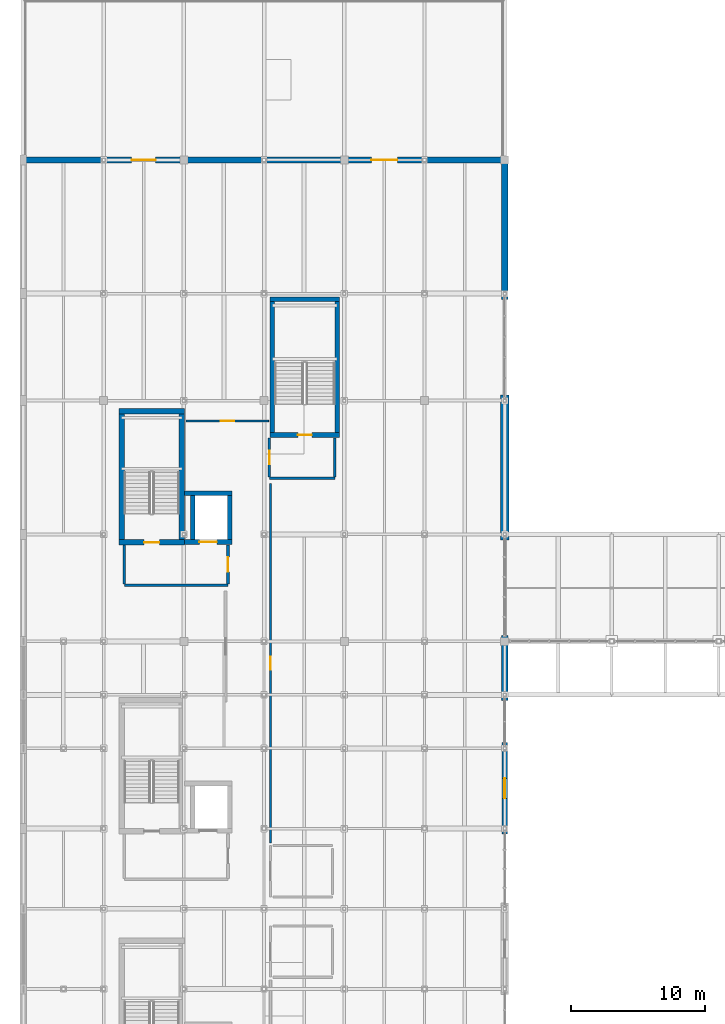
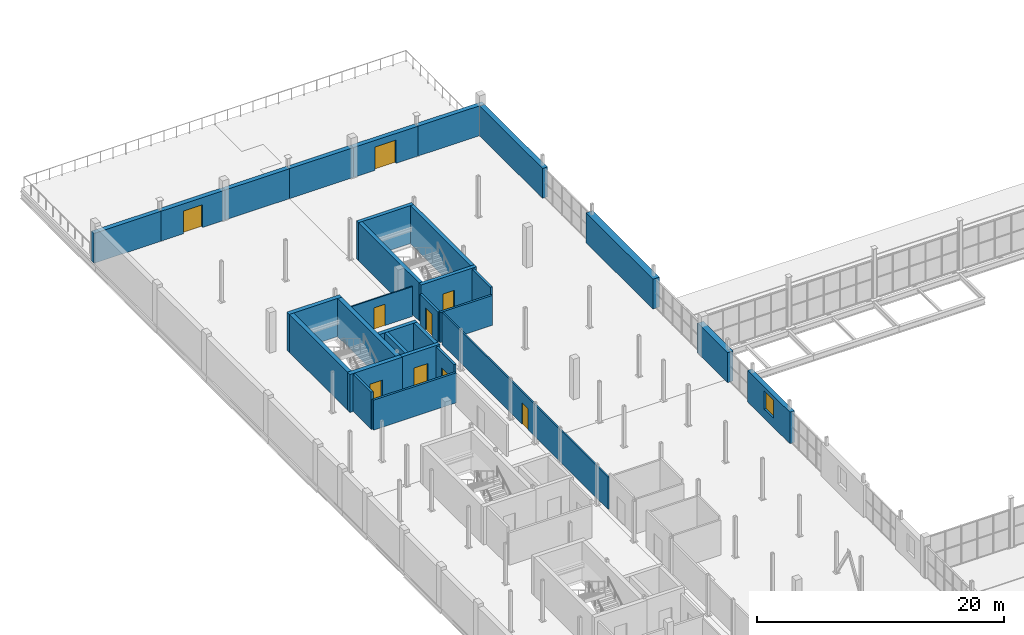
# One storey, part 89 of 96: 30 walls, 9 doors, 1 window, 10 openings.
"""IFC4 building model written with IfcOpenShell, lengths in metres."""

from ifc_helpers import new_model, si_unit, direction, frame, frame_2d, origin, place, context, subcontext, project, spatial, rectangle, extrude, material, layer, layer_set, type_object, element, fill, save


model = new_model("IFC4")

# Units and contexts
model_context = context("Model", 3, precision=1e-05, world=origin(), true_north=direction((0.0, 1.0)))
body_context = subcontext(model_context, "Body", "Model", "MODEL_VIEW")
ifc_project = project(units=[si_unit("LENGTHUNIT", "METRE"), si_unit("AREAUNIT", "SQUARE_METRE"), si_unit("VOLUMEUNIT", "CUBIC_METRE"), si_unit("PLANEANGLEUNIT", "RADIAN"), si_unit("MASSUNIT", "GRAM", prefix="KILO")], contexts=[model_context])

# Site, building, storey
site_placement = place(None, origin())
site = spatial("IfcSite", under=ifc_project, at=site_placement, CompositionType="ELEMENT")
building_placement = place(site_placement, origin())
building = spatial("IfcBuilding", under=site, at=building_placement, Name="Verrall Gate Interchange", CompositionType="ELEMENT")
storey_placement = place(building_placement, frame((0.0, 0.0, 11.39990234375)))
storey = spatial("IfcBuildingStorey", under=building, at=storey_placement, Name="L03", CompositionType="ELEMENT", Elevation=11.39990234375)

# Wall, opening, window
ifc_material_1 = material(Name="Tyndall Dolomitic Limestone Ashlar Cavity Assembly (U=0.18)", Category="masonry")
ifc_layer_1 = layer(ifc_material_1, 0.419921875)
ifc_layer_set_1 = layer_set([ifc_layer_1], Name="Tyndall Dolomitic Limestone Ashlar Cavity Assembly (U=0.18)")
wall_type_1 = type_object("IfcWallType", Name="EW-01 Exterior Solid Wall 420", PredefinedType="SOLIDWALL", material=ifc_layer_set_1)
wall_1_placement = place(storey_placement, frame((36.0, 33.580078125, 0.0), z_axis=(0.0, 0.0, 1.0), x_axis=(0.0, 1.0, 0.0)))
wall_1 = element("IfcWall", 1, at=wall_1_placement, inside=storey, type_object=wall_type_1, Name="L03 Classical Limestone Facade Wall 089", PredefinedType="SOLIDWALL", context=body_context, shape_type="SweptSolid", body=[
    extrude(rectangle(XDim=6.83984375, YDim=0.419921875, at=frame_2d((3.419921875, 0.0))), origin(), (0.0, 0.0, 1.0), 3.111083984375),
])
opening_1_placement = place(wall_1_placement, frame((2.669921875, 0.0, 0.89990234375)))
opening_1 = element("IfcOpeningElement", 2, at=opening_1_placement, cuts=wall_1, Name="Opening WN-03", PredefinedType="OPENING", context=body_context, shape_type="SweptSolid", body=[
    extrude(rectangle(XDim=1.5, YDim=1.800048828125, at=frame_2d((0.75, 0.89990234375))), frame((0.0, 0.224853515625, 0.0), z_axis=(0.0, -1.0, 0.0), x_axis=(1.0, 0.0, 0.0)), (0.0, 0.0, 1.0), 0.44970703125),
])
ifc_material_2 = material(Name="Triple-Glazed Low-E Argon Bronze-Clad Window Unit (U=1.40)", Category="glass")
window_type = type_object("IfcWindowType", Name="WN-03 Classical Deep-Reveal Window 1500x1800", PartitioningType="SINGLE_PANEL", PredefinedType="WINDOW", material=ifc_material_2)
window_placement = place(opening_1_placement, origin())
window = element("IfcWindow", 3, at=window_placement, inside=storey, type_object=window_type, Name="L03 Classical Window 047 (WN-03)", OverallHeight=1.800048828125, OverallWidth=1.5, PartitioningType="SINGLE_PANEL", PredefinedType="WINDOW", context=body_context, shape_type="SweptSolid", body=[
    extrude(rectangle(XDim=1.5, YDim=1.800048828125, at=frame_2d((0.75, 0.89990234375))), frame((0.0, 0.030029296875, 0.0), z_axis=(0.0, -1.0, 0.0), x_axis=(1.0, 0.0, 0.0)), (0.0, 0.0, 1.0), 0.06005859375),
])
fill(opening_1, window)

# Wall
wall_2_placement = place(storey_placement, frame((36.25, 84.0, 0.0), z_axis=(0.0, 0.0, 1.0), x_axis=(-1.0, 0.0, 0.0)))
element("IfcWall", 4, at=wall_2_placement, inside=storey, type_object=wall_type_1, Name="L03 Classical Limestone Facade Wall 093", PredefinedType="SOLIDWALL", context=body_context, shape_type="SweptSolid", body=[
    extrude(rectangle(XDim=6.258056640625, YDim=0.419921875, at=frame_2d((3.12890625, 0.0))), origin(), (0.0, 0.0, 1.0), 2.95703125),
])

# Wall, opening, door
wall_3_placement = place(storey_placement, frame((30.008056640625, 84.0, 0.0), z_axis=(0.0, 0.0, 1.0), x_axis=(-1.0, 0.0, 0.0)))
wall_3 = element("IfcWall", 5, at=wall_3_placement, inside=storey, type_object=wall_type_1, Name="L03 Classical Limestone Facade Wall 094", PredefinedType="SOLIDWALL", context=body_context, shape_type="SweptSolid", body=[
    extrude(rectangle(XDim=6.01611328125, YDim=0.419921875, at=frame_2d((3.008056640625, 0.0))), origin(), (0.0, 0.0, 1.0), 2.95703125),
])
opening_2_placement = place(wall_3_placement, frame((2.032958984375, 0.0, 0.0)))
opening_2 = element("IfcOpeningElement", 6, at=opening_2_placement, cuts=wall_3, Name="Opening E42", PredefinedType="OPENING", context=body_context, shape_type="SweptSolid", body=[
    extrude(rectangle(XDim=1.949951171875, YDim=2.300048828125, at=frame_2d((0.97509765625, 1.14990234375))), frame((0.0, 0.224853515625, 0.0), z_axis=(0.0, -1.0, 0.0), x_axis=(1.0, 0.0, 0.0)), (0.0, 0.0, 1.0), 0.44970703125),
])
ifc_material_3 = material(Name="Thermally Broken Bronze-Anodized Aluminium Entrance Assembly", Category="aluminium")
door_type_1 = type_object("IfcDoorType", Name="GD-02 Exterior Entrance Door 1950x2300", OperationType="NOTDEFINED", PredefinedType="DOOR", material=ifc_material_3)
door_1_placement = place(opening_2_placement, origin())
door_1 = element("IfcDoor", 7, at=door_1_placement, inside=storey, type_object=door_type_1, Name="L03 Roof Garden Terrace Door E42", OperationType="DOUBLE_DOOR_SINGLE_SWING", OverallHeight=2.300048828125, OverallWidth=1.949951171875, PredefinedType="DOOR", context=body_context, shape_type="SweptSolid", body=[
    extrude(rectangle(XDim=1.949951171875, YDim=2.300048828125, at=frame_2d((0.97509765625, 1.14990234375))), frame((0.0, 0.02490234375, 0.0), z_axis=(0.0, -1.0, 0.0), x_axis=(1.0, 0.0, 0.0)), (0.0, 0.0, 1.0), 0.050048828125),
])
fill(opening_2, door_1)

# Walls
for number, where, z_axis, x_axis, name in (
    (8, (24.008056640625, 84.0, 0.0), (0.0, 0.0, 1.0), (-1.0, 0.0, 0.0), "L03 Classical Limestone Facade Wall 095"),
    (9, (18.008056640625, 84.0, 0.0), (0.0, 0.0, 1.0), (-1.0, 0.0, 0.0), "L03 Classical Limestone Facade Wall 096"),
):
    element("IfcWall", number, at=place(storey_placement, frame(where, z_axis=z_axis, x_axis=x_axis)), inside=storey, type_object=wall_type_1, Name=name, PredefinedType="SOLIDWALL", context=body_context, shape_type="SweptSolid", body=[
        extrude(rectangle(XDim=6.01611328125, YDim=0.419921875, at=frame_2d((3.008056640625, 0.0))), origin(), (0.0, 0.0, 1.0), 2.95703125),
    ])

# Wall, opening, door
wall_4_placement = place(storey_placement, frame((12.008056640625, 84.0, 0.0), z_axis=(0.0, 0.0, 1.0), x_axis=(-1.0, 0.0, 0.0)))
wall_4 = element("IfcWall", 10, at=wall_4_placement, inside=storey, type_object=wall_type_1, Name="L03 Classical Limestone Facade Wall 097", PredefinedType="SOLIDWALL", context=body_context, shape_type="SweptSolid", body=[
    extrude(rectangle(XDim=6.01611328125, YDim=0.419921875, at=frame_2d((3.008056640625, 0.0))), origin(), (0.0, 0.0, 1.0), 2.95703125),
])
opening_3_placement = place(wall_4_placement, frame((2.10791015625, 0.0, 0.0)))
opening_3 = element("IfcOpeningElement", 11, at=opening_3_placement, cuts=wall_4, Name="Opening E43", PredefinedType="OPENING", context=body_context, shape_type="SweptSolid", body=[
    extrude(rectangle(XDim=1.800048828125, YDim=2.25, at=frame_2d((0.89990234375, 1.125))), frame((0.0, 0.224853515625, 0.0), z_axis=(0.0, -1.0, 0.0), x_axis=(1.0, 0.0, 0.0)), (0.0, 0.0, 1.0), 0.44970703125),
])
ifc_material_4 = material(Name="Thermally Broken Bronze-Anodized Aluminium Entrance Assembly", Category="aluminium")
door_type_2 = type_object("IfcDoorType", Name="GD-01 Exterior Entrance Door 1800x2250", OperationType="NOTDEFINED", PredefinedType="DOOR", material=ifc_material_4)
door_2_placement = place(opening_3_placement, origin())
door_2 = element("IfcDoor", 12, at=door_2_placement, inside=storey, type_object=door_type_2, Name="L03 Roof Garden Terrace Door E43", OperationType="DOUBLE_DOOR_SINGLE_SWING", OverallHeight=2.25, OverallWidth=1.800048828125, PredefinedType="DOOR", context=body_context, shape_type="SweptSolid", body=[
    extrude(rectangle(XDim=1.800048828125, YDim=2.25, at=frame_2d((0.89990234375, 1.125))), frame((0.0, 0.02490234375, 0.0), z_axis=(0.0, -1.0, 0.0), x_axis=(1.0, 0.0, 0.0)), (0.0, 0.0, 1.0), 0.050048828125),
])
fill(opening_3, door_2)

# Walls
wall_5_placement = place(storey_placement, frame((6.008056640625, 84.0, 0.0), z_axis=(0.0, 0.0, 1.0), x_axis=(-1.0, 0.0, 0.0)))
element("IfcWall", 13, at=wall_5_placement, inside=storey, type_object=wall_type_1, Name="L03 Classical Limestone Facade Wall 098", PredefinedType="SOLIDWALL", context=body_context, shape_type="SweptSolid", body=[
    extrude(rectangle(XDim=6.258056640625, YDim=0.419921875, at=frame_2d((3.12890625, 0.0))), origin(), (0.0, 0.0, 1.0), 2.95703125),
])
ifc_material_5 = material(Name="Tyndall Dolomitic Limestone Ashlar Cavity Assembly (U=0.18)", Category="masonry")
ifc_layer_2 = layer(ifc_material_5, 0.4599609375)
ifc_layer_set_2 = layer_set([ifc_layer_2], Name="Tyndall Dolomitic Limestone Ashlar Cavity Assembly (U=0.18)")
wall_type_2 = type_object("IfcWallType", Name="EW-02 Exterior Solid Wall 460", PredefinedType="SOLIDWALL", material=ifc_layer_set_2)
wall_6_placement = place(storey_placement, frame((36.0, 73.580078125, 0.0), z_axis=(0.0, 0.0, 1.0), x_axis=(0.0, 1.0, 0.0)))
element("IfcWall", 14, at=wall_6_placement, inside=storey, type_object=wall_type_2, Name="L03 Classical Limestone Facade Wall 092", PredefinedType="SOLIDWALL", context=body_context, shape_type="SweptSolid", body=[
    extrude(rectangle(XDim=10.427978515625, YDim=0.4599609375, at=frame_2d((5.2138671875, 0.0))), origin(), (0.0, 0.0, 1.0), 2.95703125),
])
ifc_material_6 = material(Name="Prairie Charcoal Granite Plinth Rainscreen Assembly (U=0.18)", Category="masonry")
ifc_layer_3 = layer(ifc_material_6, 0.52001953125)
ifc_layer_set_3 = layer_set([ifc_layer_3], Name="Prairie Charcoal Granite Plinth Rainscreen Assembly (U=0.18)")
wall_type_3 = type_object("IfcWallType", Name="EW-03 Exterior Solid Wall 520", PredefinedType="SOLIDWALL", material=ifc_layer_set_3)
wall_7_placement = place(storey_placement, frame((36.0, 43.580078125, 0.0), z_axis=(0.0, 0.0, 1.0), x_axis=(0.0, 1.0, 0.0)))
element("IfcWall", 15, at=wall_7_placement, inside=storey, type_object=wall_type_3, Name="L03 Classical Limestone Facade Wall 090", PredefinedType="SOLIDWALL", context=body_context, shape_type="SweptSolid", body=[
    extrude(rectangle(XDim=4.83984375, YDim=0.52001953125, at=frame_2d((2.419921875, 0.0))), origin(), (0.0, 0.0, 1.0), 2.95703125),
])
ifc_material_7 = material(Name="Prairie Charcoal Granite Plinth Rainscreen Assembly (U=0.18)", Category="masonry")
ifc_layer_4 = layer(ifc_material_7, 0.6201171875)
ifc_layer_set_4 = layer_set([ifc_layer_4], Name="Prairie Charcoal Granite Plinth Rainscreen Assembly (U=0.18)")
wall_type_4 = type_object("IfcWallType", Name="EW-05 Exterior Solid Wall 620", PredefinedType="SOLIDWALL", material=ifc_layer_set_4)
wall_8_placement = place(storey_placement, frame((36.0, 55.580078125, 0.0), z_axis=(0.0, 0.0, 1.0), x_axis=(0.0, 1.0, 0.0)))
element("IfcWall", 16, at=wall_8_placement, inside=storey, type_object=wall_type_4, Name="L03 Classical Limestone Facade Wall 091", PredefinedType="SOLIDWALL", context=body_context, shape_type="SweptSolid", body=[
    extrude(rectangle(XDim=10.83984375, YDim=0.6201171875, at=frame_2d((5.419921875, 0.0))), origin(), (0.0, 0.0, 1.0), 2.95703125),
])
ifc_material_8 = material(Name="Fire-Rated Type X Gypsum Stud Partition Assembly (60 min)", Category="gypsum")
ifc_layer_5 = layer(ifc_material_8, 0.199951171875)
ifc_layer_set_5 = layer_set([ifc_layer_5], Name="Fire-Rated Type X Gypsum Stud Partition Assembly (60 min)")
wall_type_5 = type_object("IfcWallType", Name="IW-01 Interior Partition Wall 200", PredefinedType="PARTITIONING", material=ifc_layer_set_5)
wall_9_placement = place(storey_placement, frame((7.550048828125, 52.199951171875, 0.0), z_axis=(0.0, 0.0, 1.0), x_axis=(1.0, 0.0, 0.0)))
element("IfcWall", 17, at=wall_9_placement, inside=storey, type_object=wall_type_5, Name="L03 Core C3 Lobby South Rated Wall", PredefinedType="PARTITIONING", context=body_context, shape_type="SweptSolid", body=[
    extrude(rectangle(XDim=7.75, YDim=0.199951171875, at=frame_2d((3.875, 0.0))), origin(), (0.0, 0.0, 1.0), 2.95703125),
])
wall_10_placement = place(storey_placement, frame((7.550048828125, 55.199951171875, 0.0), z_axis=(0.0, 0.0, 1.0), x_axis=(0.0, -1.0, 0.0)))
element("IfcWall", 18, at=wall_10_placement, inside=storey, type_object=wall_type_5, Name="L03 Core C3 Lobby West Rated Wall", PredefinedType="PARTITIONING", context=body_context, shape_type="SweptSolid", body=[
    extrude(rectangle(XDim=2.919921875, YDim=0.199951171875, at=frame_2d((1.4599609375, 0.0))), origin(), (0.0, 0.0, 1.0), 3.68017578125),
])

# Wall, opening, door
wall_11_placement = place(storey_placement, frame((15.300048828125, 52.280029296875, 0.0), z_axis=(0.0, 0.0, 1.0), x_axis=(0.0, 1.0, 0.0)))
wall_11 = element("IfcWall", 19, at=wall_11_placement, inside=storey, type_object=wall_type_5, Name="L03 Core C3 Lobby East Rated Wall", PredefinedType="PARTITIONING", context=body_context, shape_type="SweptSolid", body=[
    extrude(rectangle(XDim=2.919921875, YDim=0.199951171875, at=frame_2d((1.4599609375, 0.0))), origin(), (0.0, 0.0, 1.0), 3.68017578125),
])
opening_4_placement = place(wall_11_placement, frame((0.909912109375, 0.0, 0.0)))
opening_4 = element("IfcOpeningElement", 20, at=opening_4_placement, cuts=wall_11, Name="Opening LBD048", PredefinedType="OPENING", context=body_context, shape_type="SweptSolid", body=[
    extrude(rectangle(XDim=1.10009765625, YDim=2.14990234375, at=frame_2d((0.550048828125, 1.074951171875))), frame((0.0, 0.11474609375, 0.0), z_axis=(0.0, -1.0, 0.0), x_axis=(1.0, 0.0, 0.0)), (0.0, 0.0, 1.0), 0.229736328125),
])
ifc_material_9 = material(Name="Hollow-Metal Fire-Rated Door Assembly", Category="metal")
door_type_3 = type_object("IfcDoorType", Name="ID-06 Interior Swing Door 1100x2150", OperationType="NOTDEFINED", PredefinedType="DOOR", material=ifc_material_9)
door_3_placement = place(opening_4_placement, origin())
door_3 = element("IfcDoor", 21, at=door_3_placement, inside=storey, type_object=door_type_3, Name="L03 Core C3 Lobby Fire Door LBD048", OperationType="SINGLE_SWING_RIGHT", OverallHeight=2.14990234375, OverallWidth=1.10009765625, PredefinedType="DOOR", context=body_context, shape_type="SweptSolid", body=[
    extrude(rectangle(XDim=1.10009765625, YDim=2.14990234375, at=frame_2d((0.550048828125, 1.074951171875))), frame((0.0, 0.02490234375, 0.0), z_axis=(0.0, -1.0, 0.0), x_axis=(1.0, 0.0, 0.0)), (0.0, 0.0, 1.0), 0.050048828125),
])
fill(opening_4, door_3)

# Wall
wall_12_placement = place(storey_placement, frame((18.39990234375, 60.199951171875, 0.0), z_axis=(0.0, 0.0, 1.0), x_axis=(1.0, 0.0, 0.0)))
element("IfcWall", 22, at=wall_12_placement, inside=storey, type_object=wall_type_5, Name="L03 Core C4 Lobby South Rated Wall", PredefinedType="PARTITIONING", context=body_context, shape_type="SweptSolid", body=[
    extrude(rectangle(XDim=4.900146484375, YDim=0.199951171875, at=frame_2d((2.4501953125, 0.0))), origin(), (0.0, 0.0, 1.0), 2.95703125),
])

# Wall, opening, door
wall_13_placement = place(storey_placement, frame((18.39990234375, 63.199951171875, 0.0), z_axis=(0.0, 0.0, 1.0), x_axis=(0.0, -1.0, 0.0)))
wall_13 = element("IfcWall", 23, at=wall_13_placement, inside=storey, type_object=wall_type_5, Name="L03 Core C4 Lobby West Rated Wall", PredefinedType="PARTITIONING", context=body_context, shape_type="SweptSolid", body=[
    extrude(rectangle(XDim=2.919921875, YDim=0.199951171875, at=frame_2d((1.4599609375, 0.0))), origin(), (0.0, 0.0, 1.0), 2.95703125),
])
opening_5_placement = place(wall_13_placement, frame((0.9599609375, 0.0, 0.0)))
opening_5 = element("IfcOpeningElement", 24, at=opening_5_placement, cuts=wall_13, Name="Opening LBD061", PredefinedType="OPENING", context=body_context, shape_type="SweptSolid", body=[
    extrude(rectangle(XDim=1.0, YDim=2.14990234375, at=frame_2d((0.5, 1.074951171875))), frame((0.0, 0.11474609375, 0.0), z_axis=(0.0, -1.0, 0.0), x_axis=(1.0, 0.0, 0.0)), (0.0, 0.0, 1.0), 0.229736328125),
])
ifc_material_10 = material(Name="Hollow-Metal Fire-Rated Door Assembly", Category="metal")
door_type_4 = type_object("IfcDoorType", Name="ID-05 Interior Swing Door 1000x2150", OperationType="NOTDEFINED", PredefinedType="DOOR", material=ifc_material_10)
door_4_placement = place(opening_5_placement, origin())
door_4 = element("IfcDoor", 25, at=door_4_placement, inside=storey, type_object=door_type_4, Name="L03 Core C4 Lobby Fire Door LBD061", OperationType="SINGLE_SWING_LEFT", OverallHeight=2.14990234375, OverallWidth=1.0, PredefinedType="DOOR", context=body_context, shape_type="SweptSolid", body=[
    extrude(rectangle(XDim=1.0, YDim=2.14990234375, at=frame_2d((0.5, 1.074951171875))), frame((0.0, 0.02490234375, 0.0), z_axis=(0.0, -1.0, 0.0), x_axis=(1.0, 0.0, 0.0)), (0.0, 0.0, 1.0), 0.050048828125),
])
fill(opening_5, door_4)

# Wall
wall_14_placement = place(storey_placement, frame((23.300048828125, 60.280029296875, 0.0), z_axis=(0.0, 0.0, 1.0), x_axis=(0.0, 1.0, 0.0)))
element("IfcWall", 26, at=wall_14_placement, inside=storey, type_object=wall_type_5, Name="L03 Core C4 Lobby East Rated Wall", PredefinedType="PARTITIONING", context=body_context, shape_type="SweptSolid", body=[
    extrude(rectangle(XDim=2.919921875, YDim=0.199951171875, at=frame_2d((1.4599609375, 0.0))), origin(), (0.0, 0.0, 1.0), 3.68017578125),
])

# Wall, opening, door
ifc_material_11 = material(Name="Acoustic Steel-Stud Partition Assembly", Category="steel")
ifc_layer_6 = layer(ifc_material_11, 0.139892578125)
ifc_layer_set_6 = layer_set([ifc_layer_6], Name="Acoustic Steel-Stud Partition Assembly")
wall_type_6 = type_object("IfcWallType", Name="IW-03 Interior Partition Wall 140", PredefinedType="PARTITIONING", material=ifc_layer_set_6)
wall_15_placement = place(storey_placement, frame((18.47998046875, 32.929931640625, 0.0), z_axis=(0.0, 0.0, 1.0), x_axis=(0.0, 1.0, 0.0)))
wall_15 = element("IfcWall", 27, at=wall_15_placement, inside=storey, type_object=wall_type_6, Name="L03 Regional Mobility Planning Office Partition 058", PredefinedType="PARTITIONING", context=body_context, shape_type="SweptSolid", body=[
    extrude(rectangle(XDim=26.864013671875, YDim=0.139892578125, at=frame_2d((13.43212890625, 0.0))), origin(), (0.0, 0.0, 1.0), 3.18701171875),
])
opening_6_placement = place(wall_15_placement, frame((12.951904296875, 0.0, 0.0)))
opening_6 = element("IfcOpeningElement", 28, at=opening_6_placement, cuts=wall_15, Name="Opening D042", PredefinedType="OPENING", context=body_context, shape_type="SweptSolid", body=[
    extrude(rectangle(XDim=0.9599609375, YDim=2.10009765625, at=frame_2d((0.47998046875, 1.050048828125))), frame((0.0, 0.0849609375, 0.0), z_axis=(0.0, -1.0, 0.0), x_axis=(1.0, 0.0, 0.0)), (0.0, 0.0, 1.0), 0.169677734375),
])
ifc_material_12 = material(Name="Architectural Solid-Core Birch Acoustic Door Assembly", Category="wood")
door_type_5 = type_object("IfcDoorType", Name="ID-11 Interior Swing Door 960x2100", OperationType="NOTDEFINED", PredefinedType="DOOR", material=ifc_material_12)
door_5_placement = place(opening_6_placement, origin())
door_5 = element("IfcDoor", 29, at=door_5_placement, inside=storey, type_object=door_type_5, Name="L03 Regional Mobility Planning Office Door D042", OperationType="SINGLE_SWING_LEFT", OverallHeight=2.10009765625, OverallWidth=0.9599609375, PredefinedType="DOOR", context=body_context, shape_type="SweptSolid", body=[
    extrude(rectangle(XDim=0.9599609375, YDim=2.10009765625, at=frame_2d((0.47998046875, 1.050048828125))), frame((0.0, 0.02490234375, 0.0), z_axis=(0.0, -1.0, 0.0), x_axis=(1.0, 0.0, 0.0)), (0.0, 0.0, 1.0), 0.050048828125),
])
fill(opening_6, door_5)

ifc_material_13 = material(Name="Acoustic Steel-Stud Partition Assembly", Category="steel")
ifc_layer_7 = layer(ifc_material_13, 0.1201171875)
ifc_layer_set_7 = layer_set([ifc_layer_7], Name="Acoustic Steel-Stud Partition Assembly")
wall_type_7 = type_object("IfcWallType", Name="IW-04 Interior Partition Wall 120", PredefinedType="PARTITIONING", material=ifc_layer_set_7)
wall_16_placement = place(storey_placement, frame((18.340087890625, 64.47998046875, 0.0), z_axis=(0.0, 0.0, 1.0), x_axis=(-1.0, 0.0, 0.0)))
wall_16 = element("IfcWall", 30, at=wall_16_placement, inside=storey, type_object=wall_type_7, Name="L03 Fare Systems and Ridership Analytics Suite Partition 059", PredefinedType="PARTITIONING", context=body_context, shape_type="SweptSolid", body=[
    extrude(rectangle(XDim=6.170166015625, YDim=0.1201171875, at=frame_2d((3.0849609375, 0.0))), origin(), (0.0, 0.0, 1.0), 2.95703125),
])
opening_7_placement = place(wall_16_placement, frame((2.574951171875, 0.0, 0.0)))
opening_7 = element("IfcOpeningElement", 31, at=opening_7_placement, cuts=wall_16, Name="Opening D043", PredefinedType="OPENING", context=body_context, shape_type="SweptSolid", body=[
    extrude(rectangle(XDim=1.02001953125, YDim=2.10009765625, at=frame_2d((0.510009765625, 1.050048828125))), frame((0.0, 0.074951171875, 0.0), z_axis=(0.0, -1.0, 0.0), x_axis=(1.0, 0.0, 0.0)), (0.0, 0.0, 1.0), 0.14990234375),
])
ifc_material_14 = material(Name="Architectural Solid-Core Birch Acoustic Door Assembly", Category="wood")
door_type_6 = type_object("IfcDoorType", Name="ID-12 Interior Swing Door 1020x2100", OperationType="NOTDEFINED", PredefinedType="DOOR", material=ifc_material_14)
door_6_placement = place(opening_7_placement, origin())
door_6 = element("IfcDoor", 32, at=door_6_placement, inside=storey, type_object=door_type_6, Name="L03 Fare Systems and Ridership Analytics Suite Door D043", OperationType="SINGLE_SWING_RIGHT", OverallHeight=2.10009765625, OverallWidth=1.02001953125, PredefinedType="DOOR", context=body_context, shape_type="SweptSolid", body=[
    extrude(rectangle(XDim=1.02001953125, YDim=2.10009765625, at=frame_2d((0.510009765625, 1.050048828125))), frame((0.0, 0.02490234375, 0.0), z_axis=(0.0, -1.0, 0.0), x_axis=(1.0, 0.0, 0.0)), (0.0, 0.0, 1.0), 0.050048828125),
])
fill(opening_7, door_6)

ifc_material_15 = material(Name="Concrete CSA A23.1 40 MPa (Class N)", Category="concrete")
ifc_layer_8 = layer(ifc_material_15, 0.39990234375)
ifc_layer_set_8 = layer_set([ifc_layer_8], Name="Concrete CSA A23.1 40 MPa (Class N)")
wall_type_8 = type_object("IfcWallType", Name="SW-01 Core Shear Wall 400", PredefinedType="SHEAR", material=ifc_layer_set_8)
wall_17_placement = place(storey_placement, frame((7.14990234375, 55.39990234375, 0.0), z_axis=(0.0, 0.0, 1.0), x_axis=(1.0, 0.0, 0.0)))
wall_17 = element("IfcWall", 33, at=wall_17_placement, inside=storey, type_object=wall_type_8, Name="L03 Core C3 South Shear Wall", PredefinedType="SHEAR", context=body_context, shape_type="SweptSolid", body=[
    extrude(rectangle(XDim=4.900146484375, YDim=0.39990234375, at=frame_2d((2.4501953125, 0.0))), origin(), (0.0, 0.0, 1.0), 3.760009765625),
])
opening_8_placement = place(wall_17_placement, frame((1.875, 0.0, 0.0)))
opening_8 = element("IfcOpeningElement", 34, at=opening_8_placement, cuts=wall_17, Name="Opening SD041", PredefinedType="OPENING", context=body_context, shape_type="SweptSolid", body=[
    extrude(rectangle(XDim=1.14990234375, YDim=2.14990234375, at=frame_2d((0.574951171875, 1.074951171875))), frame((0.0, 0.21484375, 0.0), z_axis=(0.0, -1.0, 0.0), x_axis=(1.0, 0.0, 0.0)), (0.0, 0.0, 1.0), 0.4296875),
])
ifc_material_16 = material(Name="Hollow-Metal Fire-Rated Door Assembly", Category="metal")
door_type_7 = type_object("IfcDoorType", Name="ID-02 Interior Swing Door 1150x2150", OperationType="NOTDEFINED", PredefinedType="DOOR", material=ifc_material_16)
door_7_placement = place(opening_8_placement, origin())
door_7 = element("IfcDoor", 35, at=door_7_placement, inside=storey, type_object=door_type_7, Name="L03 Stair ST-03 Fire Door SD041", OperationType="SINGLE_SWING_LEFT", OverallHeight=2.14990234375, OverallWidth=1.14990234375, PredefinedType="DOOR", context=body_context, shape_type="SweptSolid", body=[
    extrude(rectangle(XDim=1.14990234375, YDim=2.14990234375, at=frame_2d((0.574951171875, 1.074951171875))), frame((0.0, 0.02490234375, 0.0), z_axis=(0.0, -1.0, 0.0), x_axis=(1.0, 0.0, 0.0)), (0.0, 0.0, 1.0), 0.050048828125),
])
fill(opening_8, door_7)

# Walls
wall_18_placement = place(storey_placement, frame((12.050048828125, 65.199951171875, 0.0), z_axis=(0.0, 0.0, 1.0), x_axis=(-1.0, 0.0, 0.0)))
element("IfcWall", 36, at=wall_18_placement, inside=storey, type_object=wall_type_8, Name="L03 Core C3 North Shear Wall", PredefinedType="SHEAR", context=body_context, shape_type="SweptSolid", body=[
    extrude(rectangle(XDim=4.900146484375, YDim=0.39990234375, at=frame_2d((2.4501953125, 0.0))), origin(), (0.0, 0.0, 1.0), 3.760009765625),
])
for number, where, z_axis, x_axis, name in (
    (37, (7.35009765625, 65.0, 0.0), (0.0, 0.0, 1.0), (0.0, -1.0, 0.0), "L03 Core C3 West Shear Wall"),
    (38, (11.85009765625, 55.60009765625, 0.0), (0.0, 0.0, 1.0), (0.0, 1.0, 0.0), "L03 Core C3 East Shear Wall"),
):
    element("IfcWall", number, at=place(storey_placement, frame(where, z_axis=z_axis, x_axis=x_axis)), inside=storey, type_object=wall_type_8, Name=name, PredefinedType="SHEAR", context=body_context, shape_type="SweptSolid", body=[
        extrude(rectangle(XDim=9.39990234375, YDim=0.39990234375, at=frame_2d((4.699951171875, 0.0))), origin(), (0.0, 0.0, 1.0), 3.760009765625),
    ])

# Wall, opening, door
ifc_material_17 = material(Name="Concrete CSA A23.1 40 MPa (Class N)", Category="concrete")
ifc_layer_9 = layer(ifc_material_17, 0.340087890625)
ifc_layer_set_9 = layer_set([ifc_layer_9], Name="Concrete CSA A23.1 40 MPa (Class N)")
wall_type_9 = type_object("IfcWallType", Name="SW-02 Core Shear Wall 340", PredefinedType="SHEAR", material=ifc_layer_set_9)
wall_19_placement = place(storey_placement, frame((12.050048828125, 55.429931640625, 0.0), z_axis=(0.0, 0.0, 1.0), x_axis=(1.0, 0.0, 0.0)))
wall_19 = element("IfcWall", 39, at=wall_19_placement, inside=storey, type_object=wall_type_9, Name="L03 Elevator EL-08 South Shaft Wall", PredefinedType="SHEAR", context=body_context, shape_type="SweptSolid", body=[
    extrude(rectangle(XDim=3.5400390625, YDim=0.340087890625, at=frame_2d((1.77001953125, 0.0))), origin(), (0.0, 0.0, 1.0), 3.760009765625),
])
opening_9_placement = place(wall_19_placement, frame((1.1201171875, 0.0, 0.0)))
opening_9 = element("IfcOpeningElement", 40, at=opening_9_placement, cuts=wall_19, Name="Opening LD-08-L03", PredefinedType="OPENING", context=body_context, shape_type="SweptSolid", body=[
    extrude(rectangle(XDim=1.300048828125, YDim=2.25, at=frame_2d((0.64990234375, 1.125))), frame((0.0, 0.18505859375, 0.0), z_axis=(0.0, -1.0, 0.0), x_axis=(1.0, 0.0, 0.0)), (0.0, 0.0, 1.0), 0.369873046875),
])
ifc_material_18 = material(Name="Stainless-Steel Elevator Landing Sliding Door Assembly", Category="steel")
door_type_8 = type_object("IfcDoorType", Name="LD-03 Elevator Sliding Landing Door 1300x2250", OperationType="NOTDEFINED", PredefinedType="DOOR", material=ifc_material_18)
door_8_placement = place(opening_9_placement, origin())
door_8 = element("IfcDoor", 41, at=door_8_placement, inside=storey, type_object=door_type_8, Name="L03 Elevator EL-08 Sliding Landing Door", OperationType="DOUBLE_DOOR_SLIDING", OverallHeight=2.25, OverallWidth=1.300048828125, PredefinedType="DOOR", context=body_context, shape_type="SweptSolid", body=[
    extrude(rectangle(XDim=1.300048828125, YDim=2.25, at=frame_2d((0.64990234375, 1.125))), frame((0.0, 0.02490234375, 0.0), z_axis=(0.0, -1.0, 0.0), x_axis=(1.0, 0.0, 0.0)), (0.0, 0.0, 1.0), 0.050048828125),
])
fill(opening_9, door_8)

# Walls
wall_20_placement = place(storey_placement, frame((15.590087890625, 59.070068359375, 0.0), z_axis=(0.0, 0.0, 1.0), x_axis=(-1.0, 0.0, 0.0)))
element("IfcWall", 42, at=wall_20_placement, inside=storey, type_object=wall_type_9, Name="L03 Elevator EL-08 North Shaft Wall", PredefinedType="SHEAR", context=body_context, shape_type="SweptSolid", body=[
    extrude(rectangle(XDim=3.5400390625, YDim=0.340087890625, at=frame_2d((1.77001953125, 0.0))), origin(), (0.0, 0.0, 1.0), 3.760009765625),
])
for number, where, z_axis, x_axis, name in (
    (43, (12.679931640625, 58.89990234375, 0.0), (0.0, 0.0, 1.0), (0.0, -1.0, 0.0), "L03 Elevator EL-08 West Shaft Wall"),
    (44, (15.419921875, 55.60009765625, 0.0), (0.0, 0.0, 1.0), (0.0, 1.0, 0.0), "L03 Elevator EL-08 East Shaft Wall"),
):
    element("IfcWall", number, at=place(storey_placement, frame(where, z_axis=z_axis, x_axis=x_axis)), inside=storey, type_object=wall_type_9, Name=name, PredefinedType="SHEAR", context=body_context, shape_type="SweptSolid", body=[
        extrude(rectangle(XDim=3.2998046875, YDim=0.340087890625, at=frame_2d((1.64990234375, 0.0))), origin(), (0.0, 0.0, 1.0), 3.760009765625),
    ])

# Wall, opening, door
wall_21_placement = place(storey_placement, frame((18.4599609375, 63.429931640625, 0.0), z_axis=(0.0, 0.0, 1.0), x_axis=(1.0, 0.0, 0.0)))
wall_21 = element("IfcWall", 45, at=wall_21_placement, inside=storey, type_object=wall_type_9, Name="L03 Core C4 South Shear Wall", PredefinedType="SHEAR", context=body_context, shape_type="SweptSolid", body=[
    extrude(rectangle(XDim=5.179931640625, YDim=0.340087890625, at=frame_2d((2.58984375, 0.0))), origin(), (0.0, 0.0, 1.0), 3.760009765625),
])
opening_10_placement = place(wall_21_placement, frame((2.06494140625, 0.0, 0.0)))
opening_10 = element("IfcOpeningElement", 46, at=opening_10_placement, cuts=wall_21, Name="Opening SD055", PredefinedType="OPENING", context=body_context, shape_type="SweptSolid", body=[
    extrude(rectangle(XDim=1.050048828125, YDim=2.14990234375, at=frame_2d((0.52490234375, 1.074951171875))), frame((0.0, 0.18505859375, 0.0), z_axis=(0.0, -1.0, 0.0), x_axis=(1.0, 0.0, 0.0)), (0.0, 0.0, 1.0), 0.369873046875),
])
ifc_material_19 = material(Name="Hollow-Metal Fire-Rated Door Assembly", Category="metal")
door_type_9 = type_object("IfcDoorType", Name="ID-01 Interior Swing Door 1050x2150", OperationType="NOTDEFINED", PredefinedType="DOOR", material=ifc_material_19)
door_9_placement = place(opening_10_placement, origin())
door_9 = element("IfcDoor", 47, at=door_9_placement, inside=storey, type_object=door_type_9, Name="L03 Stair ST-04 Fire Door SD055", OperationType="SINGLE_SWING_LEFT", OverallHeight=2.14990234375, OverallWidth=1.050048828125, PredefinedType="DOOR", context=body_context, shape_type="SweptSolid", body=[
    extrude(rectangle(XDim=1.050048828125, YDim=2.14990234375, at=frame_2d((0.52490234375, 1.074951171875))), frame((0.0, 0.02490234375, 0.0), z_axis=(0.0, -1.0, 0.0), x_axis=(1.0, 0.0, 0.0)), (0.0, 0.0, 1.0), 0.050048828125),
])
fill(opening_10, door_9)

# Walls
wall_22_placement = place(storey_placement, frame((23.639892578125, 73.570068359375, 0.0), z_axis=(0.0, 0.0, 1.0), x_axis=(-1.0, 0.0, 0.0)))
element("IfcWall", 48, at=wall_22_placement, inside=storey, type_object=wall_type_9, Name="L03 Core C4 North Shear Wall", PredefinedType="SHEAR", context=body_context, shape_type="SweptSolid", body=[
    extrude(rectangle(XDim=5.179931640625, YDim=0.340087890625, at=frame_2d((2.58984375, 0.0))), origin(), (0.0, 0.0, 1.0), 3.760009765625),
])
for number, where, z_axis, x_axis, name in (
    (49, (18.6298828125, 73.39990234375, 0.0), (0.0, 0.0, 1.0), (0.0, -1.0, 0.0), "L03 Core C4 West Shear Wall"),
    (50, (23.469970703125, 63.60009765625, 0.0), (0.0, 0.0, 1.0), (0.0, 1.0, 0.0), "L03 Core C4 East Shear Wall"),
):
    element("IfcWall", number, at=place(storey_placement, frame(where, z_axis=z_axis, x_axis=x_axis)), inside=storey, type_object=wall_type_9, Name=name, PredefinedType="SHEAR", context=body_context, shape_type="SweptSolid", body=[
        extrude(rectangle(XDim=9.7998046875, YDim=0.340087890625, at=frame_2d((4.89990234375, 0.0))), origin(), (0.0, 0.0, 1.0), 3.760009765625),
    ])

save(model, "model.ifc")
